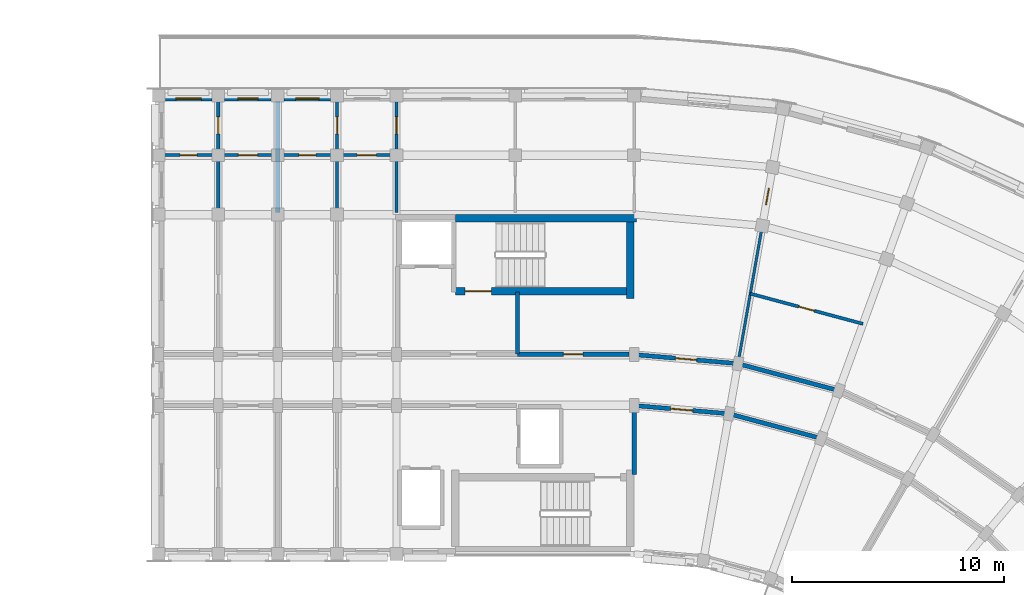
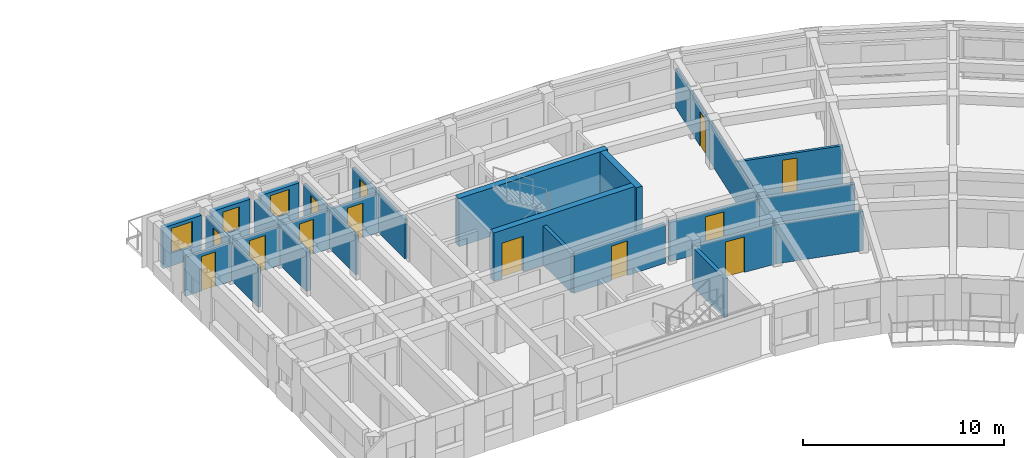
# One storey, part 23 of 41: 23 walls, 13 doors, 3 windows, 16 openings.
"""IFC4 building model written with IfcOpenShell, lengths in metres."""

from ifc_helpers import new_model, si_unit, direction, frame, frame_2d, origin, place, context, subcontext, project, spatial, rectangle, extrude, material, layer, layer_set, type_object, element, fill, save


model = new_model("IFC4")

# Units and contexts
model_context = context("Model", 3, precision=1e-05, world=origin(), true_north=direction((0.0, 1.0)))
body_context = subcontext(model_context, "Body", "Model", "MODEL_VIEW")
ifc_project = project(units=[si_unit("LENGTHUNIT", "METRE"), si_unit("AREAUNIT", "SQUARE_METRE"), si_unit("VOLUMEUNIT", "CUBIC_METRE"), si_unit("PLANEANGLEUNIT", "RADIAN"), si_unit("MASSUNIT", "GRAM", prefix="KILO")], contexts=[model_context])

# Site, building, storey
site_placement = place(None, origin())
site = spatial("IfcSite", under=ifc_project, at=site_placement, CompositionType="ELEMENT")
building_placement = place(site_placement, origin())
building = spatial("IfcBuilding", under=site, at=building_placement, Name="Kiranvali Square Residences", CompositionType="ELEMENT")
storey_placement = place(building_placement, frame((0.0, 0.0, 33.89990234375)))
storey = spatial("IfcBuildingStorey", under=building, at=storey_placement, Name="L10", CompositionType="ELEMENT", Elevation=33.89990234375)

# Wall, opening, door
ifc_material_1 = material(Name="Autoclaved aerated concrete blockwork masonry", Category="masonry")
ifc_layer_1 = layer(ifc_material_1, 0.199951171875)
ifc_layer_set_1 = layer_set([ifc_layer_1], Name="Autoclaved aerated concrete blockwork masonry")
wall_type_1 = type_object("IfcWallType", Name="WL-COR-200", PredefinedType="STANDARD", material=ifc_layer_set_1)
wall_1_placement = place(storey_placement, frame((119.800048828125, 113.60009765625, 0.0), z_axis=(0.0, 0.0, 1.0), x_axis=(0.996191949488, -0.087187153726, 0.0)))
wall_1 = element("IfcWall", 1, at=wall_1_placement, inside=storey, type_object=wall_type_1, Name="L10 architectural wall WL-L10-B-CCI-0", PredefinedType="STANDARD", context=body_context, shape_type="SweptSolid", body=[
    extrude(rectangle(XDim=4.4970703125, YDim=0.199951171875, at=frame_2d((2.24853515625, 0.0))), origin(), (0.0, 0.0, 1.0), 2.3720703125),
])
opening_1_placement = place(wall_1_placement, frame((1.728515625, 0.0, 0.0)))
opening_1 = element("IfcOpeningElement", 2, at=opening_1_placement, cuts=wall_1, Name="Opening FD-APT-60B", PredefinedType="OPENING", context=body_context, shape_type="SweptSolid", body=[
    extrude(rectangle(XDim=1.0400390625, YDim=2.14990234375, at=frame_2d((0.52001953125, 1.074951171875))), frame((0.0, 0.10986328125, 0.0), z_axis=(0.0, -1.0, 0.0), x_axis=(1.0, 0.0, 0.0)), (0.0, 0.0, 1.0), 0.219970703125),
])
ifc_material_2 = material(Name="Fire-rated acoustic hardwood and mineral-core door assembly", Category="wood")
door_type_1 = type_object("IfcDoorType", Name="DR-APT-1040", OperationType="NOTDEFINED", PredefinedType="DOOR", material=ifc_material_2)
door_1_placement = place(opening_1_placement, origin())
door_1 = element("IfcDoor", 3, at=door_1_placement, inside=storey, type_object=door_type_1, Name="L10 door DR-L10-1617 (DR-APT-1040)", OperationType="SINGLE_SWING_LEFT", OverallHeight=2.14990234375, OverallWidth=1.0400390625, PredefinedType="DOOR", context=body_context, shape_type="SweptSolid", body=[
    extrude(rectangle(XDim=1.0400390625, YDim=2.14990234375, at=frame_2d((0.52001953125, 1.074951171875))), frame((0.0, 0.02490234375, 0.0), z_axis=(0.0, -1.0, 0.0), x_axis=(1.0, 0.0, 0.0)), (0.0, 0.0, 1.0), 0.050048828125),
])
fill(opening_1, door_1)

wall_2_placement = place(storey_placement, frame((119.800048828125, 116.0, 0.0), z_axis=(0.0, 0.0, 1.0), x_axis=(0.996193663584, -0.087167566415, 0.0)))
wall_2 = element("IfcWall", 4, at=wall_2_placement, inside=storey, type_object=wall_type_1, Name="L10 architectural wall WL-L10-B-CCO-0", PredefinedType="STANDARD", context=body_context, shape_type="SweptSolid", body=[
    extrude(rectangle(XDim=4.91552734375, YDim=0.199951171875, at=frame_2d((2.457763671875, 0.0))), origin(), (0.0, 0.0, 1.0), 2.3720703125),
])
opening_2_placement = place(wall_2_placement, frame((1.957763671875, 0.0, 0.0)))
opening_2 = element("IfcOpeningElement", 5, at=opening_2_placement, cuts=wall_2, Name="Opening FD-APT-60", PredefinedType="OPENING", context=body_context, shape_type="SweptSolid", body=[
    extrude(rectangle(XDim=1.0, YDim=2.14990234375, at=frame_2d((0.5, 1.074951171875))), frame((0.0, 0.10986328125, 0.0), z_axis=(0.0, -1.0, 0.0), x_axis=(1.0, 0.0, 0.0)), (0.0, 0.0, 1.0), 0.219970703125),
])
door_type_2 = type_object("IfcDoorType", Name="DR-APT-1000", OperationType="NOTDEFINED", PredefinedType="DOOR", material=ifc_material_2)
door_2_placement = place(opening_2_placement, origin())
door_2 = element("IfcDoor", 6, at=door_2_placement, inside=storey, type_object=door_type_2, Name="L10 door DR-L10-1609 (DR-APT-1000)", OperationType="SINGLE_SWING_LEFT", OverallHeight=2.14990234375, OverallWidth=1.0, PredefinedType="DOOR", context=body_context, shape_type="SweptSolid", body=[
    extrude(rectangle(XDim=1.0, YDim=2.14990234375, at=frame_2d((0.5, 1.074951171875))), frame((0.0, 0.02490234375, 0.0), z_axis=(0.0, -1.0, 0.0), x_axis=(1.0, 0.0, 0.0)), (0.0, 0.0, 1.0), 0.050048828125),
])
fill(opening_2, door_2)

# Walls
wall_3_placement = place(storey_placement, frame((124.280029296875, 113.2080078125, 0.0), z_axis=(0.0, 0.0, 1.0), x_axis=(0.965934240054, -0.258787642463, 0.0)))
element("IfcWall", 7, at=wall_3_placement, inside=storey, type_object=wall_type_1, Name="L10 architectural wall WL-L10-B-CCI-1", PredefinedType="STANDARD", context=body_context, shape_type="SweptSolid", body=[
    extrude(rectangle(XDim=4.497314453125, YDim=0.199951171875, at=frame_2d((2.24853515625, 0.0))), origin(), (0.0, 0.0, 1.0), 2.3720703125),
])
wall_4_placement = place(storey_placement, frame((124.69677734375, 115.571533203125, 0.0), z_axis=(0.0, 0.0, 1.0), x_axis=(0.965930095386, -0.258803112091, 0.0)))
element("IfcWall", 8, at=wall_4_placement, inside=storey, type_object=wall_type_1, Name="L10 architectural wall WL-L10-B-CCO-1", PredefinedType="STANDARD", context=body_context, shape_type="SweptSolid", body=[
    extrude(rectangle(XDim=4.915771484375, YDim=0.199951171875, at=frame_2d((2.4580078125, 0.0))), origin(), (0.0, 0.0, 1.0), 2.3720703125),
])
ifc_layer_2 = layer(ifc_material_1, 0.219970703125)
ifc_layer_set_2 = layer_set([ifc_layer_2], Name="Autoclaved aerated concrete blockwork masonry")
wall_type_2 = type_object("IfcWallType", Name="WL-DEM-220", PredefinedType="STANDARD", material=ifc_layer_set_2)
wall_5_placement = place(storey_placement, frame((103.0, 122.699951171875, 0.0), z_axis=(0.0, 0.0, 1.0), x_axis=(0.0, 1.0, 0.0)))
element("IfcWall", 9, at=wall_5_placement, inside=storey, type_object=wall_type_2, Name="L10 architectural wall WL-L10-B-A1TO2-2", PredefinedType="STANDARD", context=body_context, shape_type="SweptSolid", body=[
    extrude(rectangle(XDim=5.219970703125, YDim=0.219970703125, at=frame_2d((2.60986328125, 0.0))), origin(), (0.0, 0.0, 1.0), 2.3720703125),
])
wall_6_placement = place(storey_placement, frame((119.800048828125, 110.35009765625, 0.0), z_axis=(0.0, 0.0, 1.0), x_axis=(0.0, 1.0, 0.0)))
element("IfcWall", 10, at=wall_6_placement, inside=storey, type_object=wall_type_2, Name="L10 architectural wall WL-L10-B-RADI-0", PredefinedType="STANDARD", context=body_context, shape_type="SweptSolid", body=[
    extrude(rectangle(XDim=3.199951171875, YDim=0.219970703125, at=frame_2d((1.60009765625, 0.0))), origin(), (0.0, 0.0, 1.0), 2.3720703125),
])

# Wall, opening, window
ifc_material_3 = material(Name="Breathable lime-rendered clay brick masonry", Category="masonry")
ifc_layer_3 = layer(ifc_material_3, 0.25)
ifc_layer_set_3 = layer_set([ifc_layer_3], Name="Breathable lime-rendered clay brick masonry")
wall_type_3 = type_object("IfcWallType", Name="WL-EXT-250", PredefinedType="STANDARD", material=ifc_layer_set_3)
wall_7_placement = place(storey_placement, frame((105.49658203125, 128.074951171875, 0.0), z_axis=(0.0, 0.0, 1.0), x_axis=(-1.0, 0.0, 0.0)))
wall_7 = element("IfcWall", 11, at=wall_7_placement, inside=storey, type_object=wall_type_3, Name="L10 exterior wall B-L10-A1O-3", PredefinedType="STANDARD", context=body_context, shape_type="SweptSolid", body=[
    extrude(rectangle(XDim=2.193115234375, YDim=0.25, at=frame_2d((1.0966796875, 0.0))), origin(), (0.0, 0.0, 1.0), 2.47998046875),
])
opening_3_placement = place(wall_7_placement, frame((0.54638671875, 0.0, 0.830078125)))
opening_3 = element("IfcOpeningElement", 12, at=opening_3_placement, cuts=wall_7, Name="Opening W-15", PredefinedType="OPENING", context=body_context, shape_type="SweptSolid", body=[
    extrude(rectangle(XDim=1.10009765625, YDim=1.449951171875, at=frame_2d((0.550048828125, 0.72509765625))), frame((0.0, 0.135009765625, 0.0), z_axis=(0.0, -1.0, 0.0), x_axis=(1.0, 0.0, 0.0)), (0.0, 0.0, 1.0), 0.27001953125),
])
ifc_material_4 = material(Name="Solar-control low-e double glazing", Category="glass")
window_type_1 = type_object("IfcWindowType", Name="WIN-RES-1100x1450", PartitioningType="SINGLE_PANEL", PredefinedType="WINDOW", material=ifc_material_4)
window_1_placement = place(opening_3_placement, origin())
window_1 = element("IfcWindow", 13, at=window_1_placement, inside=storey, type_object=window_type_1, Name="L10 recessed window B-L10-A1O-3", OverallHeight=1.449951171875, OverallWidth=1.10009765625, PartitioningType="SINGLE_PANEL", PredefinedType="WINDOW", context=body_context, shape_type="SweptSolid", body=[
    extrude(rectangle(XDim=1.10009765625, YDim=1.449951171875, at=frame_2d((0.550048828125, 0.72509765625))), frame((0.0, 0.030029296875, 0.0), z_axis=(0.0, -1.0, 0.0), x_axis=(1.0, 0.0, 0.0)), (0.0, 0.0, 1.0), 0.06005859375),
])
fill(opening_3, window_1)

wall_8_placement = place(storey_placement, frame((102.696533203125, 128.074951171875, 0.0), z_axis=(0.0, 0.0, 1.0), x_axis=(-1.0, 0.0, 0.0)))
wall_8 = element("IfcWall", 14, at=wall_8_placement, inside=storey, type_object=wall_type_3, Name="L10 exterior wall B-L10-A1O-4", PredefinedType="STANDARD", context=body_context, shape_type="SweptSolid", body=[
    extrude(rectangle(XDim=2.193115234375, YDim=0.25, at=frame_2d((1.0966796875, 0.0))), origin(), (0.0, 0.0, 1.0), 2.47998046875),
])
opening_4_placement = place(wall_8_placement, frame((0.62158203125, 0.0, 0.8798828125)))
opening_4 = element("IfcOpeningElement", 15, at=opening_4_placement, cuts=wall_8, Name="Opening W-16", PredefinedType="OPENING", context=body_context, shape_type="SweptSolid", body=[
    extrude(rectangle(XDim=0.949951171875, YDim=1.35009765625, at=frame_2d((0.47509765625, 0.675048828125))), frame((0.0, 0.135009765625, 0.0), z_axis=(0.0, -1.0, 0.0), x_axis=(1.0, 0.0, 0.0)), (0.0, 0.0, 1.0), 0.27001953125),
])
window_type_2 = type_object("IfcWindowType", Name="WIN-RES-950x1350", PartitioningType="SINGLE_PANEL", PredefinedType="WINDOW", material=ifc_material_4)
window_2_placement = place(opening_4_placement, origin())
window_2 = element("IfcWindow", 16, at=window_2_placement, inside=storey, type_object=window_type_2, Name="L10 recessed window B-L10-A1O-4", OverallHeight=1.35009765625, OverallWidth=0.949951171875, PartitioningType="SINGLE_PANEL", PredefinedType="WINDOW", context=body_context, shape_type="SweptSolid", body=[
    extrude(rectangle(XDim=0.949951171875, YDim=1.35009765625, at=frame_2d((0.47509765625, 0.675048828125))), frame((0.0, 0.030029296875, 0.0), z_axis=(0.0, -1.0, 0.0), x_axis=(1.0, 0.0, 0.0)), (0.0, 0.0, 1.0), 0.06005859375),
])
fill(opening_4, window_2)

wall_9_placement = place(storey_placement, frame((99.896484375, 128.074951171875, 0.0), z_axis=(0.0, 0.0, 1.0), x_axis=(-1.0, 0.0, 0.0)))
wall_9 = element("IfcWall", 17, at=wall_9_placement, inside=storey, type_object=wall_type_3, Name="L10 exterior wall B-L10-A1O-5", PredefinedType="STANDARD", context=body_context, shape_type="SweptSolid", body=[
    extrude(rectangle(XDim=2.19287109375, YDim=0.25, at=frame_2d((1.096435546875, 0.0))), origin(), (0.0, 0.0, 1.0), 2.47998046875),
])
opening_5_placement = place(wall_9_placement, frame((0.49658203125, 0.0, 0.780029296875)))
opening_5 = element("IfcOpeningElement", 18, at=opening_5_placement, cuts=wall_9, Name="Opening W-06", PredefinedType="OPENING", context=body_context, shape_type="SweptSolid", body=[
    extrude(rectangle(XDim=1.199951171875, YDim=1.5, at=frame_2d((0.60009765625, 0.75))), frame((0.0, 0.135009765625, 0.0), z_axis=(0.0, -1.0, 0.0), x_axis=(1.0, 0.0, 0.0)), (0.0, 0.0, 1.0), 0.27001953125),
])
window_type_3 = type_object("IfcWindowType", Name="WIN-RES-1200x1500", PartitioningType="SINGLE_PANEL", PredefinedType="WINDOW", material=ifc_material_4)
window_3_placement = place(opening_5_placement, origin())
window_3 = element("IfcWindow", 19, at=window_3_placement, inside=storey, type_object=window_type_3, Name="L10 recessed window B-L10-A1O-5", OverallHeight=1.5, OverallWidth=1.199951171875, PartitioningType="SINGLE_PANEL", PredefinedType="WINDOW", context=body_context, shape_type="SweptSolid", body=[
    extrude(rectangle(XDim=1.199951171875, YDim=1.5, at=frame_2d((0.60009765625, 0.75))), frame((0.0, 0.030029296875, 0.0), z_axis=(0.0, -1.0, 0.0), x_axis=(1.0, 0.0, 0.0)), (0.0, 0.0, 1.0), 0.06005859375),
])
fill(opening_5, window_3)

# Wall
ifc_layer_4 = layer(ifc_material_1, 0.199951171875)
ifc_layer_set_4 = layer_set([ifc_layer_4], Name="Autoclaved aerated concrete blockwork masonry")
wall_type_4 = type_object("IfcWallType", Name="WL-FFL-200", PredefinedType="STANDARD", material=ifc_layer_set_4)
wall_10_placement = place(storey_placement, frame((114.300048828125, 116.02001953125, 0.0), z_axis=(0.0, 0.0, 1.0), x_axis=(0.0, 1.0, 0.0)))
element("IfcWall", 20, at=wall_10_placement, inside=storey, type_object=wall_type_4, Name="L10 architectural wall WL-L10-B-FF-DIV", PredefinedType="STANDARD", context=body_context, shape_type="SweptSolid", body=[
    extrude(rectangle(XDim=2.929931640625, YDim=0.199951171875, at=frame_2d((1.46484375, 0.0))), origin(), (0.0, 0.0, 1.0), 2.3720703125),
])

# Wall, opening, door
ifc_material_5 = material(Name="Acoustic gypsum board drylined partition", Category="gypsum")
ifc_layer_5 = layer(ifc_material_5, 0.125)
ifc_layer_set_5 = layer_set([ifc_layer_5], Name="Acoustic gypsum board drylined partition")
wall_type_5 = type_object("IfcWallType", Name="WL-PRT-125", PredefinedType="PARTITIONING", material=ifc_layer_set_5)
wall_11_placement = place(storey_placement, frame((124.71435546875, 115.670166015625, 0.0), z_axis=(0.0, 0.0, 1.0), x_axis=(0.173646292378, 0.984808085438, 0.0)))
wall_11 = element("IfcWall", 21, at=wall_11_placement, inside=storey, type_object=wall_type_5, Name="L10 architectural wall WL-L10-B-RADO-1", PredefinedType="PARTITIONING", context=body_context, shape_type="SweptSolid", body=[
    extrude(rectangle(XDim=11.820068359375, YDim=0.125, at=frame_2d((5.91015625, 0.0))), origin(), (0.0, 0.0, 1.0), 2.3720703125),
])
opening_6_placement = place(wall_11_placement, frame((7.50048828125, 0.0, 0.0)))
opening_6 = element("IfcOpeningElement", 22, at=opening_6_placement, cuts=wall_11, Name="Opening ID-WET", PredefinedType="OPENING", context=body_context, shape_type="SweptSolid", body=[
    extrude(rectangle(XDim=0.800048828125, YDim=2.10009765625, at=frame_2d((0.39990234375, 1.050048828125))), frame((0.0, 0.072509765625, 0.0), z_axis=(0.0, -1.0, 0.0), x_axis=(1.0, 0.0, 0.0)), (0.0, 0.0, 1.0), 0.14501953125),
])
ifc_material_6 = material(Name="Solid seasoned teak hardwood joinery", Category="wood")
door_type_3 = type_object("IfcDoorType", Name="DR-WET-800", OperationType="NOTDEFINED", PredefinedType="DOOR", material=ifc_material_6)
door_3_placement = place(opening_6_placement, origin())
door_3 = element("IfcDoor", 23, at=door_3_placement, inside=storey, type_object=door_type_3, Name="L10 door DR-L10-1605 (DR-WET-800)", OperationType="SINGLE_SWING_LEFT", OverallHeight=2.10009765625, OverallWidth=0.800048828125, PredefinedType="DOOR", context=body_context, shape_type="SweptSolid", body=[
    extrude(rectangle(XDim=0.800048828125, YDim=2.10009765625, at=frame_2d((0.39990234375, 1.050048828125))), frame((0.0, 0.02490234375, 0.0), z_axis=(0.0, -1.0, 0.0), x_axis=(1.0, 0.0, 0.0)), (0.0, 0.0, 1.0), 0.050048828125),
])
fill(opening_6, door_3)

ifc_layer_6 = layer(ifc_material_5, 0.14990234375)
ifc_layer_set_6 = layer_set([ifc_layer_6], Name="Acoustic gypsum board drylined partition")
wall_type_6 = type_object("IfcWallType", Name="WL-PRT-150", PredefinedType="PARTITIONING", material=ifc_layer_set_6)
wall_12_placement = place(storey_placement, frame((108.60009765625, 122.699951171875, 0.0), z_axis=(0.0, 0.0, 1.0), x_axis=(0.0, 1.0, 0.0)))
wall_12 = element("IfcWall", 24, at=wall_12_placement, inside=storey, type_object=wall_type_6, Name="L10 architectural wall WL-L10-B-A1TO2-0", PredefinedType="PARTITIONING", context=body_context, shape_type="SweptSolid", body=[
    extrude(rectangle(XDim=5.219970703125, YDim=0.14990234375, at=frame_2d((2.60986328125, 0.0))), origin(), (0.0, 0.0, 1.0), 2.3720703125),
])
opening_7_placement = place(wall_12_placement, frame((3.69970703125, 0.0, 0.0)))
opening_7 = element("IfcOpeningElement", 25, at=opening_7_placement, cuts=wall_12, Name="Opening ID-WET", PredefinedType="OPENING", context=body_context, shape_type="SweptSolid", body=[
    extrude(rectangle(XDim=0.800048828125, YDim=2.10009765625, at=frame_2d((0.39990234375, 1.050048828125))), frame((0.0, 0.0849609375, 0.0), z_axis=(0.0, -1.0, 0.0), x_axis=(1.0, 0.0, 0.0)), (0.0, 0.0, 1.0), 0.169921875),
])
door_4_placement = place(opening_7_placement, origin())
door_4 = element("IfcDoor", 26, at=door_4_placement, inside=storey, type_object=door_type_3, Name="L10 door DR-L10-1597 (DR-WET-800)", OperationType="SINGLE_SWING_LEFT", OverallHeight=2.10009765625, OverallWidth=0.800048828125, PredefinedType="DOOR", context=body_context, shape_type="SweptSolid", body=[
    extrude(rectangle(XDim=0.800048828125, YDim=2.10009765625, at=frame_2d((0.39990234375, 1.050048828125))), frame((0.0, 0.02490234375, 0.0), z_axis=(0.0, -1.0, 0.0), x_axis=(1.0, 0.0, 0.0)), (0.0, 0.0, 1.0), 0.050048828125),
])
fill(opening_7, door_4)

wall_13_placement = place(storey_placement, frame((105.800048828125, 122.699951171875, 0.0), z_axis=(0.0, 0.0, 1.0), x_axis=(0.0, 1.0, 0.0)))
wall_13 = element("IfcWall", 27, at=wall_13_placement, inside=storey, type_object=wall_type_6, Name="L10 architectural wall WL-L10-B-A1TO2-1", PredefinedType="PARTITIONING", context=body_context, shape_type="SweptSolid", body=[
    extrude(rectangle(XDim=5.219970703125, YDim=0.14990234375, at=frame_2d((2.60986328125, 0.0))), origin(), (0.0, 0.0, 1.0), 2.3720703125),
])
opening_8_placement = place(wall_13_placement, frame((3.69970703125, 0.0, 0.0)))
opening_8 = element("IfcOpeningElement", 28, at=opening_8_placement, cuts=wall_13, Name="Opening ID-WET", PredefinedType="OPENING", context=body_context, shape_type="SweptSolid", body=[
    extrude(rectangle(XDim=0.800048828125, YDim=2.10009765625, at=frame_2d((0.39990234375, 1.050048828125))), frame((0.0, 0.0849609375, 0.0), z_axis=(0.0, -1.0, 0.0), x_axis=(1.0, 0.0, 0.0)), (0.0, 0.0, 1.0), 0.169921875),
])
door_5_placement = place(opening_8_placement, frame((0.800048828125, 0.0, 0.0), z_axis=(0.0, 0.0, 1.0), x_axis=(-1.0, 0.0, 0.0)))
door_5 = element("IfcDoor", 29, at=door_5_placement, inside=storey, type_object=door_type_3, Name="L10 door DR-L10-1600 (DR-WET-800)", OperationType="SINGLE_SWING_RIGHT", OverallHeight=2.10009765625, OverallWidth=0.800048828125, PredefinedType="DOOR", context=body_context, shape_type="SweptSolid", body=[
    extrude(rectangle(XDim=0.800048828125, YDim=2.10009765625, at=frame_2d((0.39990234375, 1.050048828125))), frame((0.0, 0.02490234375, 0.0), z_axis=(0.0, -1.0, 0.0), x_axis=(1.0, 0.0, 0.0)), (0.0, 0.0, 1.0), 0.050048828125),
])
fill(opening_8, door_5)

wall_14_placement = place(storey_placement, frame((100.199951171875, 122.699951171875, 0.0), z_axis=(0.0, 0.0, 1.0), x_axis=(0.0, 1.0, 0.0)))
wall_14 = element("IfcWall", 30, at=wall_14_placement, inside=storey, type_object=wall_type_6, Name="L10 architectural wall WL-L10-B-A1TO2-3", PredefinedType="PARTITIONING", context=body_context, shape_type="SweptSolid", body=[
    extrude(rectangle(XDim=5.219970703125, YDim=0.14990234375, at=frame_2d((2.60986328125, 0.0))), origin(), (0.0, 0.0, 1.0), 2.3720703125),
])
opening_9_placement = place(wall_14_placement, frame((3.69970703125, 0.0, 0.0)))
opening_9 = element("IfcOpeningElement", 31, at=opening_9_placement, cuts=wall_14, Name="Opening ID-WET", PredefinedType="OPENING", context=body_context, shape_type="SweptSolid", body=[
    extrude(rectangle(XDim=0.800048828125, YDim=2.10009765625, at=frame_2d((0.39990234375, 1.050048828125))), frame((0.0, 0.0849609375, 0.0), z_axis=(0.0, -1.0, 0.0), x_axis=(1.0, 0.0, 0.0)), (0.0, 0.0, 1.0), 0.169921875),
])
door_6_placement = place(opening_9_placement, origin())
door_6 = element("IfcDoor", 32, at=door_6_placement, inside=storey, type_object=door_type_3, Name="L10 door DR-L10-1603 (DR-WET-800)", OperationType="SINGLE_SWING_LEFT", OverallHeight=2.10009765625, OverallWidth=0.800048828125, PredefinedType="DOOR", context=body_context, shape_type="SweptSolid", body=[
    extrude(rectangle(XDim=0.800048828125, YDim=2.10009765625, at=frame_2d((0.39990234375, 1.050048828125))), frame((0.0, 0.02490234375, 0.0), z_axis=(0.0, -1.0, 0.0), x_axis=(1.0, 0.0, 0.0)), (0.0, 0.0, 1.0), 0.050048828125),
])
fill(opening_9, door_6)

ifc_layer_7 = layer(ifc_material_1, 0.199951171875)
ifc_layer_set_7 = layer_set([ifc_layer_7], Name="Autoclaved aerated concrete blockwork masonry")
wall_type_7 = type_object("IfcWallType", Name="WL-SHF-200", PredefinedType="STANDARD", material=ifc_layer_set_7)
wall_15_placement = place(storey_placement, frame((119.550048828125, 116.02001953125, 0.0), z_axis=(0.0, 0.0, 1.0), x_axis=(-1.0, 0.0, 0.0)))
wall_15 = element("IfcWall", 33, at=wall_15_placement, inside=storey, type_object=wall_type_7, Name="L10 architectural wall WL-L10-B-RSR-COR", PredefinedType="STANDARD", context=body_context, shape_type="SweptSolid", body=[
    extrude(rectangle(XDim=5.25, YDim=0.199951171875, at=frame_2d((2.625, 0.0))), origin(), (0.0, 0.0, 1.0), 2.3720703125),
])
opening_10_placement = place(wall_15_placement, frame((2.1650390625, 0.0, 0.0)))
opening_10 = element("IfcOpeningElement", 34, at=opening_10_placement, cuts=wall_15, Name="Opening FD-SVC-120", PredefinedType="OPENING", context=body_context, shape_type="SweptSolid", body=[
    extrude(rectangle(XDim=0.919921875, YDim=2.10009765625, at=frame_2d((0.4599609375, 1.050048828125))), frame((0.0, 0.10986328125, 0.0), z_axis=(0.0, -1.0, 0.0), x_axis=(1.0, 0.0, 0.0)), (0.0, 0.0, 1.0), 0.219970703125),
])
door_type_4 = type_object("IfcDoorType", Name="DR-SVC-900", OperationType="NOTDEFINED", PredefinedType="DOOR", material=ifc_material_2)
door_7_placement = place(opening_10_placement, frame((0.919921875, 0.0, 0.0), z_axis=(0.0, 0.0, 1.0), x_axis=(-1.0, 0.0, 0.0)))
door_7 = element("IfcDoor", 35, at=door_7_placement, inside=storey, type_object=door_type_4, Name="L10 door DR-L10-1578 (DR-SVC-900)", OperationType="SINGLE_SWING_RIGHT", OverallHeight=2.10009765625, OverallWidth=0.919921875, PredefinedType="DOOR", context=body_context, shape_type="SweptSolid", body=[
    extrude(rectangle(XDim=0.919921875, YDim=2.10009765625, at=frame_2d((0.4599609375, 1.050048828125))), frame((0.0, 0.02490234375, 0.0), z_axis=(0.0, -1.0, 0.0), x_axis=(1.0, 0.0, 0.0)), (0.0, 0.0, 1.0), 0.050048828125),
])
fill(opening_10, door_7)

# Wall
ifc_material_7 = material(Name="Concrete M45 (45 MPa)", Category="concrete")
ifc_layer_8 = layer(ifc_material_7, 0.320068359375)
ifc_layer_set_8 = layer_set([ifc_layer_8], Name="Concrete M45 (45 MPa)")
wall_type_8 = type_object("IfcWallType", Name="WL-SHR-320", PredefinedType="SHEAR", material=ifc_layer_set_8)
wall_16_placement = place(storey_placement, frame((119.919921875, 122.425048828125, 0.0), z_axis=(0.0, 0.0, 1.0), x_axis=(-1.0, 0.0, 0.0)))
element("IfcWall", 36, at=wall_16_placement, inside=storey, type_object=wall_type_8, Name="Block B core shear wall SW-B1-OUT-L10", PredefinedType="SHEAR", context=body_context, shape_type="SweptSolid", body=[
    extrude(rectangle(XDim=8.544921875, YDim=0.35009765625, at=frame_2d((4.2724609375, 0.0))), origin(), (0.0, 0.0, 1.0), 2.93017578125),
])

# Wall, opening, door
wall_17_placement = place(storey_placement, frame((119.449951171875, 118.97509765625, 0.0), z_axis=(0.0, 0.0, 1.0), x_axis=(-1.0, 0.0, 0.0)))
wall_17 = element("IfcWall", 37, at=wall_17_placement, inside=storey, type_object=wall_type_8, Name="Block B core shear wall SW-B1-IN-L10", PredefinedType="SHEAR", context=body_context, shape_type="SweptSolid", body=[
    extrude(rectangle(XDim=8.074951171875, YDim=0.35009765625, at=frame_2d((4.03759765625, 0.0))), origin(), (0.0, 0.0, 1.0), 2.93017578125),
])
opening_11_placement = place(wall_17_placement, frame((6.3798828125, 0.0, 0.0)))
opening_11 = element("IfcOpeningElement", 38, at=opening_11_placement, cuts=wall_17, Name="Opening FD-ST-120", PredefinedType="OPENING", context=body_context, shape_type="SweptSolid", body=[
    extrude(rectangle(XDim=1.239990234375, YDim=2.14990234375, at=frame_2d((0.6201171875, 1.074951171875))), frame((0.0, 0.18505859375, 0.0), z_axis=(0.0, -1.0, 0.0), x_axis=(1.0, 0.0, 0.0)), (0.0, 0.0, 1.0), 0.3701171875),
])
door_type_5 = type_object("IfcDoorType", Name="DR-FD120-1200", OperationType="NOTDEFINED", PredefinedType="DOOR", material=ifc_material_2)
door_8_placement = place(opening_11_placement, frame((1.239990234375, 0.0, 0.0), z_axis=(0.0, 0.0, 1.0), x_axis=(-1.0, 0.0, 0.0)))
door_8 = element("IfcDoor", 39, at=door_8_placement, inside=storey, type_object=door_type_5, Name="L10 door DR-L10-1580 (DR-FD120-1200)", OperationType="SINGLE_SWING_RIGHT", OverallHeight=2.14990234375, OverallWidth=1.239990234375, PredefinedType="DOOR", context=body_context, shape_type="SweptSolid", body=[
    extrude(rectangle(XDim=1.239990234375, YDim=2.14990234375, at=frame_2d((0.6201171875, 1.074951171875))), frame((0.0, 0.02490234375, 0.0), z_axis=(0.0, -1.0, 0.0), x_axis=(1.0, 0.0, 0.0)), (0.0, 0.0, 1.0), 0.050048828125),
])
fill(opening_11, door_8)

# Wall
wall_18_placement = place(storey_placement, frame((119.625, 118.64990234375, 0.0), z_axis=(0.0, 0.0, 1.0), x_axis=(0.0, 1.0, 0.0)))
element("IfcWall", 40, at=wall_18_placement, inside=storey, type_object=wall_type_8, Name="Block B core shear wall SW-B1-FAR-L10", PredefinedType="SHEAR", context=body_context, shape_type="SweptSolid", body=[
    extrude(rectangle(XDim=3.60009765625, YDim=0.35009765625, at=frame_2d((1.800048828125, 0.0))), origin(), (0.0, 0.0, 1.0), 2.93017578125),
])

# Wall, opening, door
ifc_layer_9 = layer(ifc_material_1, 0.14990234375)
ifc_layer_set_9 = layer_set([ifc_layer_9], Name="Autoclaved aerated concrete blockwork masonry")
wall_type_9 = type_object("IfcWallType", Name="WL-WET-150", PredefinedType="PLUMBINGWALL", material=ifc_layer_set_9)
wall_19_placement = place(storey_placement, frame((108.52001953125, 125.39990234375, 0.0), z_axis=(0.0, 0.0, 1.0), x_axis=(-1.0, 0.0, 0.0)))
wall_19 = element("IfcWall", 41, at=wall_19_placement, inside=storey, type_object=wall_type_9, Name="L10 architectural wall WL-L10-B-A1SP-0", PredefinedType="PLUMBINGWALL", context=body_context, shape_type="SweptSolid", body=[
    extrude(rectangle(XDim=2.64013671875, YDim=0.14990234375, at=frame_2d((1.320068359375, 0.0))), origin(), (0.0, 0.0, 1.0), 2.3720703125),
])
opening_12_placement = place(wall_19_placement, frame((0.8701171875, 0.0, 0.0)))
opening_12 = element("IfcOpeningElement", 42, at=opening_12_placement, cuts=wall_19, Name="Opening ID-1", PredefinedType="OPENING", context=body_context, shape_type="SweptSolid", body=[
    extrude(rectangle(XDim=0.89990234375, YDim=2.10009765625, at=frame_2d((0.449951171875, 1.050048828125))), frame((0.0, 0.0849609375, 0.0), z_axis=(0.0, -1.0, 0.0), x_axis=(1.0, 0.0, 0.0)), (0.0, 0.0, 1.0), 0.169921875),
])
door_type_6 = type_object("IfcDoorType", Name="DR-INT-900", OperationType="NOTDEFINED", PredefinedType="DOOR", material=ifc_material_6)
door_9_placement = place(opening_12_placement, frame((0.89990234375, 0.0, 0.0), z_axis=(0.0, 0.0, 1.0), x_axis=(-1.0, 0.0, 0.0)))
door_9 = element("IfcDoor", 43, at=door_9_placement, inside=storey, type_object=door_type_6, Name="L10 door DR-L10-1590 (DR-INT-900)", OperationType="SINGLE_SWING_RIGHT", OverallHeight=2.10009765625, OverallWidth=0.89990234375, PredefinedType="DOOR", context=body_context, shape_type="SweptSolid", body=[
    extrude(rectangle(XDim=0.89990234375, YDim=2.10009765625, at=frame_2d((0.449951171875, 1.050048828125))), frame((0.0, 0.02490234375, 0.0), z_axis=(0.0, -1.0, 0.0), x_axis=(1.0, 0.0, 0.0)), (0.0, 0.0, 1.0), 0.050048828125),
])
fill(opening_12, door_9)

wall_20_placement = place(storey_placement, frame((105.719970703125, 125.39990234375, 0.0), z_axis=(0.0, 0.0, 1.0), x_axis=(-1.0, 0.0, 0.0)))
wall_20 = element("IfcWall", 44, at=wall_20_placement, inside=storey, type_object=wall_type_9, Name="L10 architectural wall WL-L10-B-A1SP-1", PredefinedType="PLUMBINGWALL", context=body_context, shape_type="SweptSolid", body=[
    extrude(rectangle(XDim=2.639892578125, YDim=0.14990234375, at=frame_2d((1.31982421875, 0.0))), origin(), (0.0, 0.0, 1.0), 2.3720703125),
])
opening_13_placement = place(wall_20_placement, frame((0.919921875, 0.0, 0.0)))
opening_13 = element("IfcOpeningElement", 45, at=opening_13_placement, cuts=wall_20, Name="Opening ID-WET", PredefinedType="OPENING", context=body_context, shape_type="SweptSolid", body=[
    extrude(rectangle(XDim=0.800048828125, YDim=2.10009765625, at=frame_2d((0.39990234375, 1.050048828125))), frame((0.0, 0.0849609375, 0.0), z_axis=(0.0, -1.0, 0.0), x_axis=(1.0, 0.0, 0.0)), (0.0, 0.0, 1.0), 0.169921875),
])
door_10_placement = place(opening_13_placement, frame((0.800048828125, 0.0, 0.0), z_axis=(0.0, 0.0, 1.0), x_axis=(-1.0, 0.0, 0.0)))
door_10 = element("IfcDoor", 46, at=door_10_placement, inside=storey, type_object=door_type_3, Name="L10 door DR-L10-1592 (DR-WET-800)", OperationType="SINGLE_SWING_RIGHT", OverallHeight=2.10009765625, OverallWidth=0.800048828125, PredefinedType="DOOR", context=body_context, shape_type="SweptSolid", body=[
    extrude(rectangle(XDim=0.800048828125, YDim=2.10009765625, at=frame_2d((0.39990234375, 1.050048828125))), frame((0.0, 0.02490234375, 0.0), z_axis=(0.0, -1.0, 0.0), x_axis=(1.0, 0.0, 0.0)), (0.0, 0.0, 1.0), 0.050048828125),
])
fill(opening_13, door_10)

wall_21_placement = place(storey_placement, frame((102.919921875, 125.39990234375, 0.0), z_axis=(0.0, 0.0, 1.0), x_axis=(-1.0, 0.0, 0.0)))
wall_21 = element("IfcWall", 47, at=wall_21_placement, inside=storey, type_object=wall_type_9, Name="L10 architectural wall WL-L10-B-A1SP-2", PredefinedType="PLUMBINGWALL", context=body_context, shape_type="SweptSolid", body=[
    extrude(rectangle(XDim=2.639892578125, YDim=0.14990234375, at=frame_2d((1.31982421875, 0.0))), origin(), (0.0, 0.0, 1.0), 2.3720703125),
])
opening_14_placement = place(wall_21_placement, frame((0.8701171875, 0.0, 0.0)))
opening_14 = element("IfcOpeningElement", 48, at=opening_14_placement, cuts=wall_21, Name="Opening ID-1", PredefinedType="OPENING", context=body_context, shape_type="SweptSolid", body=[
    extrude(rectangle(XDim=0.89990234375, YDim=2.10009765625, at=frame_2d((0.449951171875, 1.050048828125))), frame((0.0, 0.0849609375, 0.0), z_axis=(0.0, -1.0, 0.0), x_axis=(1.0, 0.0, 0.0)), (0.0, 0.0, 1.0), 0.169921875),
])
door_11_placement = place(opening_14_placement, frame((0.89990234375, 0.0, 0.0), z_axis=(0.0, 0.0, 1.0), x_axis=(-1.0, 0.0, 0.0)))
door_11 = element("IfcDoor", 49, at=door_11_placement, inside=storey, type_object=door_type_6, Name="L10 door DR-L10-1594 (DR-INT-900)", OperationType="SINGLE_SWING_RIGHT", OverallHeight=2.10009765625, OverallWidth=0.89990234375, PredefinedType="DOOR", context=body_context, shape_type="SweptSolid", body=[
    extrude(rectangle(XDim=0.89990234375, YDim=2.10009765625, at=frame_2d((0.449951171875, 1.050048828125))), frame((0.0, 0.02490234375, 0.0), z_axis=(0.0, -1.0, 0.0), x_axis=(1.0, 0.0, 0.0)), (0.0, 0.0, 1.0), 0.050048828125),
])
fill(opening_14, door_11)

wall_22_placement = place(storey_placement, frame((100.1201171875, 125.39990234375, 0.0), z_axis=(0.0, 0.0, 1.0), x_axis=(-1.0, 0.0, 0.0)))
wall_22 = element("IfcWall", 50, at=wall_22_placement, inside=storey, type_object=wall_type_9, Name="L10 architectural wall WL-L10-B-A1SP-3", PredefinedType="PLUMBINGWALL", context=body_context, shape_type="SweptSolid", body=[
    extrude(rectangle(XDim=2.64013671875, YDim=0.14990234375, at=frame_2d((1.320068359375, 0.0))), origin(), (0.0, 0.0, 1.0), 2.3720703125),
])
opening_15_placement = place(wall_22_placement, frame((0.919921875, 0.0, 0.0)))
opening_15 = element("IfcOpeningElement", 51, at=opening_15_placement, cuts=wall_22, Name="Opening ID-WET", PredefinedType="OPENING", context=body_context, shape_type="SweptSolid", body=[
    extrude(rectangle(XDim=0.800048828125, YDim=2.10009765625, at=frame_2d((0.39990234375, 1.050048828125))), frame((0.0, 0.0849609375, 0.0), z_axis=(0.0, -1.0, 0.0), x_axis=(1.0, 0.0, 0.0)), (0.0, 0.0, 1.0), 0.169921875),
])
door_12_placement = place(opening_15_placement, frame((0.800048828125, 0.0, 0.0), z_axis=(0.0, 0.0, 1.0), x_axis=(-1.0, 0.0, 0.0)))
door_12 = element("IfcDoor", 52, at=door_12_placement, inside=storey, type_object=door_type_3, Name="L10 door DR-L10-1596 (DR-WET-800)", OperationType="SINGLE_SWING_RIGHT", OverallHeight=2.10009765625, OverallWidth=0.800048828125, PredefinedType="DOOR", context=body_context, shape_type="SweptSolid", body=[
    extrude(rectangle(XDim=0.800048828125, YDim=2.10009765625, at=frame_2d((0.39990234375, 1.050048828125))), frame((0.0, 0.02490234375, 0.0), z_axis=(0.0, -1.0, 0.0), x_axis=(1.0, 0.0, 0.0)), (0.0, 0.0, 1.0), 0.050048828125),
])
fill(opening_15, door_12)

wall_23_placement = place(storey_placement, frame((125.278564453125, 118.87060546875, 0.0), z_axis=(0.0, 0.0, 1.0), x_axis=(0.965929227513, -0.258806351229, 0.0)))
wall_23 = element("IfcWall", 53, at=wall_23_placement, inside=storey, type_object=wall_type_9, Name="L10 architectural wall WL-L10-B-CWET-1", PredefinedType="PLUMBINGWALL", context=body_context, shape_type="SweptSolid", body=[
    extrude(rectangle(XDim=5.49951171875, YDim=0.14990234375, at=frame_2d((2.749755859375, 0.0))), origin(), (0.0, 0.0, 1.0), 2.3720703125),
])
opening_16_placement = place(wall_23_placement, frame((2.369873046875, 0.0, 0.0)))
opening_16 = element("IfcOpeningElement", 54, at=opening_16_placement, cuts=wall_23, Name="Opening ID-WET0", PredefinedType="OPENING", context=body_context, shape_type="SweptSolid", body=[
    extrude(rectangle(XDim=0.760009765625, YDim=2.050048828125, at=frame_2d((0.3798828125, 1.02490234375))), frame((0.0, 0.0849609375, 0.0), z_axis=(0.0, -1.0, 0.0), x_axis=(1.0, 0.0, 0.0)), (0.0, 0.0, 1.0), 0.169921875),
])
door_type_7 = type_object("IfcDoorType", Name="DR-WET-760", OperationType="NOTDEFINED", PredefinedType="DOOR", material=ifc_material_6)
door_13_placement = place(opening_16_placement, frame((0.760009765625, 0.0, 0.0), z_axis=(0.0, 0.0, 1.0), x_axis=(-1.0, 0.0, 0.0)))
door_13 = element("IfcDoor", 55, at=door_13_placement, inside=storey, type_object=door_type_7, Name="L10 door DR-L10-1610 (DR-WET-760)", OperationType="SINGLE_SWING_RIGHT", OverallHeight=2.050048828125, OverallWidth=0.760009765625, PredefinedType="DOOR", context=body_context, shape_type="SweptSolid", body=[
    extrude(rectangle(XDim=0.760009765625, YDim=2.050048828125, at=frame_2d((0.3798828125, 1.02490234375))), frame((0.0, 0.02490234375, 0.0), z_axis=(0.0, -1.0, 0.0), x_axis=(1.0, 0.0, 0.0)), (0.0, 0.0, 1.0), 0.050048828125),
])
fill(opening_16, door_13)

save(model, "model.ifc")
